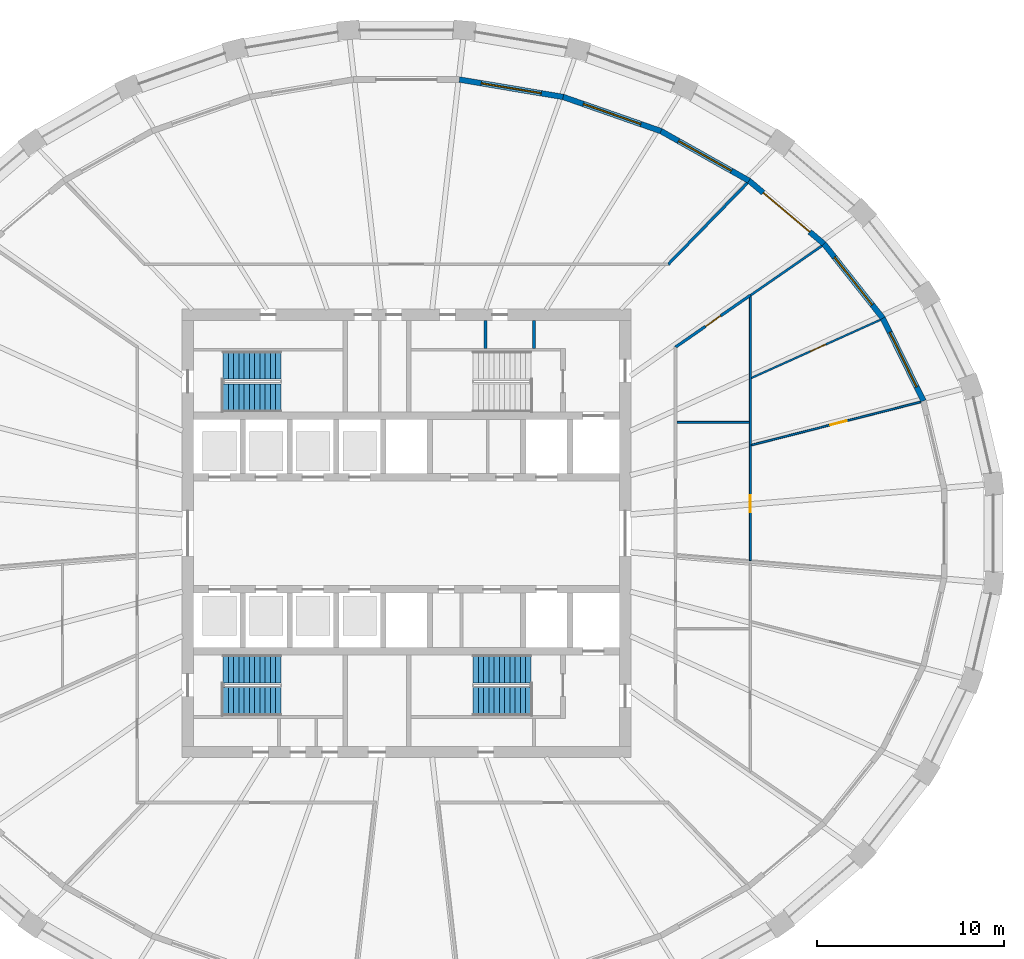
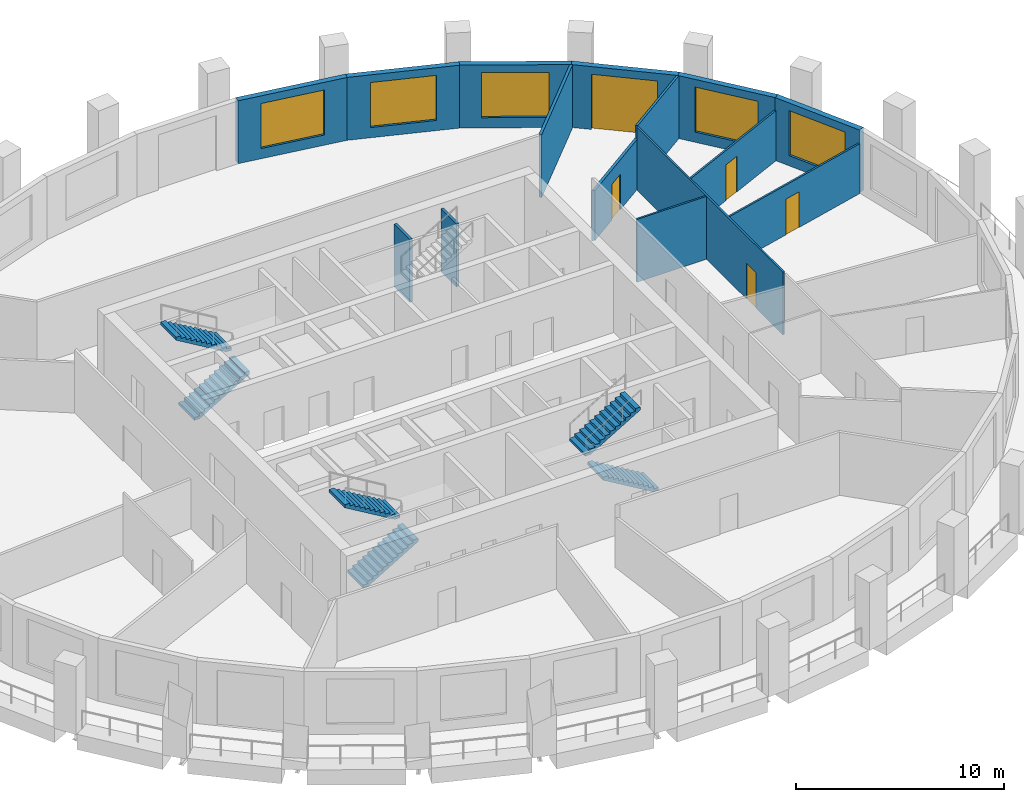
# One storey, part 7 of 11: 15 walls, 6 stair flights, 5 doors, 5 windows, 10 openings, 3 elements without a shape of their own.
"""IFC4 building model written with IfcOpenShell, lengths in metres."""

from ifc_helpers import new_model, si_unit, direction, frame, frame_2d, origin, place, context, subcontext, project, spatial, polyline, rectangle, outline, extrude, material, layer, layer_set, type_object, element, fill, aggregate, save


model = new_model("IFC4")

# Units and contexts
model_context = context("Model", 3, precision=1e-05, world=origin(), true_north=direction((0.0, 1.0)))
body_context = subcontext(model_context, "Body", "Model", "MODEL_VIEW")
ifc_project = project(units=[si_unit("LENGTHUNIT", "METRE"), si_unit("AREAUNIT", "SQUARE_METRE"), si_unit("VOLUMEUNIT", "CUBIC_METRE"), si_unit("PLANEANGLEUNIT", "RADIAN"), si_unit("MASSUNIT", "GRAM", prefix="KILO")], contexts=[model_context])

# Site, building, storey
site_placement = place(None, origin())
site = spatial("IfcSite", under=ifc_project, at=site_placement, CompositionType="ELEMENT")
building_placement = place(site_placement, origin())
building = spatial("IfcBuilding", under=site, at=building_placement, Name="Halqa Exchange Tower", CompositionType="ELEMENT")
storey_placement = place(building_placement, frame((0.0, 0.0, 230.89990234375)))
storey = spatial("IfcBuildingStorey", under=building, at=storey_placement, Name="L53", CompositionType="ELEMENT", Elevation=230.89990234375)

# Wall
ifc_material_1 = material(Name="Fire-rated gypsum board")
ifc_layer_1 = layer(ifc_material_1, 0.14990234375)
ifc_layer_set_1 = layer_set([ifc_layer_1], Name="Fire-rated gypsum board")
wall_type_1 = type_object("IfcWallType", Name="Fire partition EI 60 150", PredefinedType="PARTITIONING", material=ifc_layer_set_1)
wall_1_placement = place(storey_placement, frame((13.98779296875, 14.377197265625, 0.0), z_axis=(0.0, 0.0, 1.0), x_axis=(0.697616683155, 0.716471188105, 0.0)))
element("IfcWall", 1, at=wall_1_placement, inside=storey, type_object=wall_type_1, Name="L53-PWL-015", PredefinedType="PARTITIONING", context=body_context, shape_type="SweptSolid", body=[
    extrude(outline(polyline([(6.098876953125, -0.074951171875), (6.098876953125, -0.07275390625), (6.09375, -0.002197265625), (6.073486328125, 0.074951171875), (4.57080078125, 0.074951171875), (3.068359375, 0.074951171875), (1.56591796875, 0.074951171875), (0.0634765625, 0.074951171875), (0.03173828125, 0.0), (0.000244140625, -0.074951171875), (1.52490234375, -0.074951171875), (3.049560546875, -0.074951171875), (4.57421875, -0.074951171875), (6.098876953125, -0.074951171875)])), origin(), (0.0, 0.0, 1.0), 3.7001953125),
])

# Wall, opening, door
wall_2_placement = place(storey_placement, frame((14.36767578125, 9.947509765625, 0.0), z_axis=(0.0, 0.0, 1.0), x_axis=(0.822102584422, 0.56933938972, 0.0)))
wall_2 = element("IfcWall", 2, at=wall_2_placement, inside=storey, type_object=wall_type_1, Name="L53-PWL-021", PredefinedType="PARTITIONING", context=body_context, shape_type="SweptSolid", body=[
    extrude(outline(polyline([(4.90478515625, 0.074951171875), (3.27001953125, 0.074951171875), (1.635009765625, 0.074951171875), (0.000244140625, 0.074951171875), (0.07861328125, -0.074951171875), (1.6875, -0.074951171875), (3.296142578125, -0.074951171875), (4.90478515625, -0.074951171875), (4.90478515625, 0.074951171875)])), origin(), (0.0, 0.0, 1.0), 2.947021484375),
])
opening_1_placement = place(wall_2_placement, frame((1.971923828125, 0.0, 0.0)))
opening_1 = element("IfcOpeningElement", 3, at=opening_1_placement, cuts=wall_2, Name="Opening 16-09", PredefinedType="OPENING", context=body_context, shape_type="SweptSolid", body=[
    extrude(rectangle(XDim=1.0, YDim=2.10009765625, at=frame_2d((0.5, 1.050048828125))), frame((0.0, 0.0869140625, 0.0), z_axis=(0.0, -1.0, 0.0), x_axis=(1.0, 0.0, 0.0)), (0.0, 0.0, 1.0), 0.173828125),
])
ifc_material_2 = material(Name="Steel fire door leaf", Category="steel")
door_type_1 = type_object("IfcDoorType", Name="Fire door FD30S 1000 x 2100", OperationType="SINGLE_SWING_LEFT", PredefinedType="DOOR", material=ifc_material_2)
door_1_placement = place(opening_1_placement, frame((1.0, 0.0, 0.0), z_axis=(0.0, 0.0, 1.0), x_axis=(-1.0, 0.0, 0.0)))
door_1 = element("IfcDoor", 4, at=door_1_placement, inside=storey, type_object=door_type_1, Name="L53-IDR-009", OperationType="SINGLE_SWING_LEFT", OverallHeight=2.10009765625, OverallWidth=1.0, PredefinedType="DOOR", context=body_context, shape_type="SweptSolid", body=[
    extrude(rectangle(XDim=1.0, YDim=2.10009765625, at=frame_2d((0.5, 1.050048828125))), frame((0.0, 0.02490234375, 0.0), z_axis=(0.0, -1.0, 0.0), x_axis=(1.0, 0.0, 0.0)), (0.0, 0.0, 1.0), 0.050048828125),
])
fill(opening_1, door_1)

# Wall
ifc_material_3 = material(Name="Fire-rated glazing", Category="glass")
ifc_layer_2 = layer(ifc_material_3, 0.1201171875)
ifc_layer_set_2 = layer_set([ifc_layer_2], Name="Fire-rated glazing")
wall_type_2 = type_object("IfcWallType", Name="Glazed fire partition EI 60 120", PredefinedType="PARTITIONING", material=ifc_layer_set_2)
wall_3_placement = place(storey_placement, frame((18.40478515625, 12.7333984375, 0.0), z_axis=(0.0, 0.0, 1.0), x_axis=(0.821978662859, 0.569518285751, 0.0)))
element("IfcWall", 5, at=wall_3_placement, inside=storey, type_object=wall_type_2, Name="L53-PWL-031", PredefinedType="PARTITIONING", context=body_context, shape_type="SweptSolid", body=[
    extrude(outline(polyline([(4.65234375, -0.06005859375), (4.65234375, -0.0546875), (4.64892578125, 0.0), (4.632568359375, 0.06005859375), (3.08837890625, 0.06005859375), (1.544189453125, 0.06005859375), (0.0, 0.06005859375), (0.0, -0.051025390625), (0.01318359375, -0.06005859375), (1.5595703125, -0.06005859375), (3.10595703125, -0.06005859375), (4.65234375, -0.06005859375)])), origin(), (0.0, 0.0, 1.0), 3.7001953125),
])

# Wall, opening, door
ifc_material_4 = material(Name="Gypsum board")
ifc_layer_3 = layer(ifc_material_4, 0.10009765625)
ifc_layer_set_3 = layer_set([ifc_layer_3], Name="Gypsum board")
wall_type_3 = type_object("IfcWallType", Name="Partition 100 gypsum", PredefinedType="PARTITIONING", material=ifc_layer_set_3)
wall_4_placement = place(storey_placement, frame((18.39990234375, -1.45947265625, 0.0), z_axis=(0.0, 0.0, 1.0), x_axis=(0.0, 1.0, 0.0)))
wall_4 = element("IfcWall", 6, at=wall_4_placement, inside=storey, type_object=wall_type_3, Name="L53-PWL-027", PredefinedType="PARTITIONING", context=body_context, shape_type="SweptSolid", body=[
    extrude(outline(polyline([(0.0, -0.050048828125), (1.556640625, -0.050048828125), (3.11328125, -0.050048828125), (4.669921875, -0.050048828125), (6.2265625, -0.050048828125), (6.2333984375, -0.04833984375), (6.23388671875, -0.050048828125), (8.02734375, -0.050048828125), (9.821044921875, -0.050048828125), (9.825927734375, -0.0478515625), (9.826904296875, -0.050048828125), (11.26806640625, -0.050048828125), (12.70947265625, -0.050048828125), (14.15087890625, -0.050048828125), (14.15087890625, -0.049560546875), (14.14453125, -0.040283203125), (14.15087890625, -0.035888671875), (14.15087890625, -0.03369140625), (14.1376953125, -0.042724609375), (14.073486328125, 0.050048828125), (12.41748046875, 0.050048828125), (10.761474609375, 0.050048828125), (9.10546875, 0.050048828125), (7.449462890625, 0.050048828125), (7.449462890625, 0.0498046875), (7.349365234375, 0.0498046875), (7.349365234375, 0.050048828125), (5.51416015625, 0.050048828125), (3.6787109375, 0.050048828125), (1.843505859375, 0.050048828125), (0.008056640625, 0.050048828125), (0.0, -0.047607421875), (0.0, -0.050048828125)])), origin(), (0.0, 0.0, 1.0), 3.7001953125),
])
opening_2_placement = place(wall_4_placement, frame((2.599609375, 0.0, 0.0)))
opening_2 = element("IfcOpeningElement", 7, at=opening_2_placement, cuts=wall_4, Name="Opening 16-14", PredefinedType="OPENING", context=body_context, shape_type="SweptSolid", body=[
    extrude(rectangle(XDim=0.89990234375, YDim=2.10009765625, at=frame_2d((0.449951171875, 1.050048828125))), frame((0.0, 0.06201171875, 0.0), z_axis=(0.0, -1.0, 0.0), x_axis=(1.0, 0.0, 0.0)), (0.0, 0.0, 1.0), 0.1240234375),
])
ifc_material_5 = material(Name="Timber door leaf", Category="wood")
door_type_2 = type_object("IfcDoorType", Name="Door 900 x 2100", OperationType="SINGLE_SWING_LEFT", PredefinedType="DOOR", material=ifc_material_5)
door_2_placement = place(opening_2_placement, origin())
door_2 = element("IfcDoor", 8, at=door_2_placement, inside=storey, type_object=door_type_2, Name="L53-IDR-014", OperationType="SINGLE_SWING_RIGHT", OverallHeight=2.10009765625, OverallWidth=0.89990234375, PredefinedType="DOOR", context=body_context, shape_type="SweptSolid", body=[
    extrude(rectangle(XDim=0.89990234375, YDim=2.10009765625, at=frame_2d((0.449951171875, 1.050048828125))), frame((0.0, 0.02490234375, 0.0), z_axis=(0.0, -1.0, 0.0), x_axis=(1.0, 0.0, 0.0)), (0.0, 0.0, 1.0), 0.050048828125),
])
fill(opening_2, door_2)

wall_5_placement = place(storey_placement, frame((18.437744140625, 4.719482421875, 0.0), z_axis=(0.0, 0.0, 1.0), x_axis=(0.968975503795, 0.247156778269, 0.0)))
wall_5 = element("IfcWall", 9, at=wall_5_placement, inside=storey, type_object=wall_type_3, Name="L53-PWL-028", PredefinedType="PARTITIONING", context=body_context, shape_type="SweptSolid", body=[
    extrude(outline(polyline([(9.3671875, -0.050048828125), (9.3671875, 0.008056640625), (9.3583984375, 0.050048828125), (7.49169921875, 0.050048828125), (5.625244140625, 0.050048828125), (3.758544921875, 0.050048828125), (1.89208984375, 0.050048828125), (0.025390625, 0.050048828125), (0.0, -0.049560546875), (0.0, -0.050048828125), (1.87353515625, -0.050048828125), (3.746826171875, -0.050048828125), (5.620361328125, -0.050048828125), (7.49365234375, -0.050048828125), (9.3671875, -0.050048828125)])), origin(), (0.0, 0.0, 1.0), 2.93017578125),
])
opening_3_placement = place(wall_5_placement, frame((4.36669921875, 0.0, 0.0)))
opening_3 = element("IfcOpeningElement", 10, at=opening_3_placement, cuts=wall_5, Name="Opening 16-15", PredefinedType="OPENING", context=body_context, shape_type="SweptSolid", body=[
    extrude(rectangle(XDim=0.89990234375, YDim=2.10009765625, at=frame_2d((0.449951171875, 1.050048828125))), frame((0.0, 0.06201171875, 0.0), z_axis=(0.0, -1.0, 0.0), x_axis=(1.0, 0.0, 0.0)), (0.0, 0.0, 1.0), 0.1240234375),
])
door_3_placement = place(opening_3_placement, origin())
door_3 = element("IfcDoor", 11, at=door_3_placement, inside=storey, type_object=door_type_2, Name="L53-IDR-015", OperationType="SINGLE_SWING_RIGHT", OverallHeight=2.10009765625, OverallWidth=0.89990234375, PredefinedType="DOOR", context=body_context, shape_type="SweptSolid", body=[
    extrude(rectangle(XDim=0.89990234375, YDim=2.10009765625, at=frame_2d((0.449951171875, 1.050048828125))), frame((0.0, 0.02490234375, 0.0), z_axis=(0.0, -1.0, 0.0), x_axis=(1.0, 0.0, 0.0)), (0.0, 0.0, 1.0), 0.050048828125),
])
fill(opening_3, door_3)

# Wall
wall_6_placement = place(storey_placement, frame((18.35009765625, 5.93994140625, 0.0), z_axis=(0.0, 0.0, 1.0), x_axis=(-1.0, 0.0, 0.0)))
element("IfcWall", 12, at=wall_6_placement, inside=storey, type_object=wall_type_3, Name="L53-PWL-029", PredefinedType="PARTITIONING", context=body_context, shape_type="SweptSolid", body=[
    extrude(rectangle(XDim=3.875, YDim=0.10009765625, at=frame_2d((1.9375, 0.0))), origin(), (0.0, 0.0, 1.0), 3.7001953125),
])

# Wall, opening, door
wall_7_placement = place(storey_placement, frame((18.4296875, 8.303466796875, 0.0), z_axis=(0.0, 0.0, 1.0), x_axis=(0.911623805038, 0.411025592985, 0.0)))
wall_7 = element("IfcWall", 13, at=wall_7_placement, inside=storey, type_object=wall_type_3, Name="L53-PWL-030", PredefinedType="PARTITIONING", context=body_context, shape_type="SweptSolid", body=[
    extrude(outline(polyline([(7.601806640625, -0.050048828125), (7.601806640625, -0.045166015625), (7.600341796875, 0.001953125), (7.588134765625, 0.050048828125), (5.702392578125, 0.050048828125), (3.81640625, 0.050048828125), (1.9306640625, 0.050048828125), (0.044921875, 0.050048828125), (0.0, -0.04931640625), (0.0, -0.050048828125), (1.900390625, -0.050048828125), (3.80078125, -0.050048828125), (5.701416015625, -0.050048828125), (7.601806640625, -0.050048828125)])), origin(), (0.0, 0.0, 1.0), 2.947021484375),
])
opening_4_placement = place(wall_7_placement, frame((3.48291015625, 0.0, 0.0)))
opening_4 = element("IfcOpeningElement", 14, at=opening_4_placement, cuts=wall_7, Name="Opening 16-16", PredefinedType="OPENING", context=body_context, shape_type="SweptSolid", body=[
    extrude(rectangle(XDim=0.89990234375, YDim=2.10009765625, at=frame_2d((0.449951171875, 1.050048828125))), frame((0.0, 0.06201171875, 0.0), z_axis=(0.0, -1.0, 0.0), x_axis=(1.0, 0.0, 0.0)), (0.0, 0.0, 1.0), 0.1240234375),
])
door_4_placement = place(opening_4_placement, origin())
door_4 = element("IfcDoor", 15, at=door_4_placement, inside=storey, type_object=door_type_2, Name="L53-IDR-016", OperationType="SINGLE_SWING_RIGHT", OverallHeight=2.10009765625, OverallWidth=0.89990234375, PredefinedType="DOOR", context=body_context, shape_type="SweptSolid", body=[
    extrude(rectangle(XDim=0.89990234375, YDim=2.10009765625, at=frame_2d((0.449951171875, 1.050048828125))), frame((0.0, 0.02490234375, 0.0), z_axis=(0.0, -1.0, 0.0), x_axis=(1.0, 0.0, 0.0)), (0.0, 0.0, 1.0), 0.050048828125),
])
fill(opening_4, door_4)

# Walls
ifc_layer_4 = layer(ifc_material_4, 0.14990234375)
ifc_layer_set_4 = layer_set([ifc_layer_4], Name="Gypsum board")
wall_type_4 = type_object("IfcWallType", Name="Penthouse riser wall 150 gypsum", PredefinedType="PARTITIONING", material=ifc_layer_set_4)
for number, where, z_axis, x_axis, name in (
    (16, (4.22509765625, 9.89990234375, 0.0), (0.0, 0.0, 1.0), (0.0, 1.0, 0.0), "Partition E4.225 N"),
    (17, (6.824951171875, 9.89990234375, 0.0), (0.0, 0.0, 1.0), (0.0, 1.0, 0.0), "Firefighting lobby west wall N"),
):
    element("IfcWall", number, at=place(storey_placement, frame(where, z_axis=z_axis, x_axis=x_axis)), inside=storey, type_object=wall_type_4, Name=name, PredefinedType="PARTITIONING", context=body_context, shape_type="SweptSolid", body=[
        extrude(rectangle(XDim=1.5, YDim=0.14990234375, at=frame_2d((0.75, 0.0))), origin(), (0.0, 0.0, 1.0), 3.7001953125),
    ])

# Wall, opening, window
ifc_material_6 = material(Name="Limestone cladding", Category="masonry")
ifc_layer_5 = layer(ifc_material_6, 0.0400390625)
ifc_material_7 = material(Name="Ventilated cavity")
ifc_layer_6 = layer(ifc_material_7, 0.030029296875, ventilated=True)
ifc_material_8 = material(Name="Mineral wool insulation")
ifc_layer_7 = layer(ifc_material_8, 0.10009765625)
ifc_material_9 = material(Name="Concrete C30/37", Category="concrete")
ifc_layer_8 = layer(ifc_material_9, 0.10009765625)
ifc_material_10 = material(Name="Internal plaster")
ifc_layer_9 = layer(ifc_material_10, 0.030029296875)
ifc_layer_set_5 = layer_set([ifc_layer_5, ifc_layer_6, ifc_layer_7, ifc_layer_8, ifc_layer_9], Name="Stone-faced insulated wall 300")
wall_type_5 = type_object("IfcWallType", Name="Stone-faced insulated wall 300", PredefinedType="STANDARD", material=ifc_layer_set_5)
wall_8_placement = place(storey_placement, frame((27.656494140625, 7.0888671875, 0.0), z_axis=(0.0, 0.0, 1.0), x_axis=(-0.440857641837, 0.897577038272, 0.0)))
wall_8 = element("IfcWall", 18, at=wall_8_placement, inside=storey, type_object=wall_type_5, Name="Glass-line wall 2", PredefinedType="STANDARD", context=body_context, shape_type="SweptSolid", body=[
    extrude(outline(polyline([(-0.016845703125, -0.14990234375), (4.94140625, -0.14990234375), (4.9091796875, 0.14990234375), (0.016845703125, 0.14990234375), (-0.016845703125, -0.14990234375)])), origin(), (0.0, 0.0, 1.0), 3.7001953125),
])
opening_5_placement = place(wall_8_placement, frame((0.837646484375, 0.0, 0.60009765625)))
opening_5 = element("IfcOpeningElement", 19, at=opening_5_placement, cuts=wall_8, Name="Opening W-F3-02", PredefinedType="OPENING", context=body_context, shape_type="SweptSolid", body=[
    extrude(rectangle(XDim=3.25, YDim=2.64990234375, at=frame_2d((1.625, 1.324951171875))), frame((0.0, 0.162109375, 0.0), z_axis=(0.0, -1.0, 0.0), x_axis=(1.0, 0.0, 0.0)), (0.0, 0.0, 1.0), 0.323974609375),
])
ifc_material_11 = material(Name="Clear low-emissivity glass in aluminium frame", Category="aluminium")
window_type = type_object("IfcWindowType", Name="Fixed clear glazed window 3250 x 2650", PartitioningType="TRIPLE_PANEL_VERTICAL", PredefinedType="WINDOW", material=ifc_material_11)
window_1_placement = place(opening_5_placement, origin())
window_1 = element("IfcWindow", 20, at=window_1_placement, inside=storey, type_object=window_type, Name="Window 3", OverallHeight=2.64990234375, OverallWidth=3.25, PartitioningType="TRIPLE_PANEL_VERTICAL", PredefinedType="WINDOW", context=body_context, shape_type="SweptSolid", body=[
    extrude(rectangle(XDim=3.25, YDim=2.64990234375, at=frame_2d((1.625, 1.324951171875))), frame((0.0, 0.030029296875, 0.0), z_axis=(0.0, -1.0, 0.0), x_axis=(1.0, 0.0, 0.0)), (0.0, 0.0, 1.0), 0.06005859375),
])
fill(opening_5, window_1)

wall_9_placement = place(storey_placement, frame((25.485107421875, 11.509765625, 0.0), z_axis=(0.0, 0.0, 1.0), x_axis=(-0.621084984443, 0.783743224596, 0.0)))
wall_9 = element("IfcWall", 21, at=wall_9_placement, inside=storey, type_object=wall_type_5, Name="Glass-line wall 3", PredefinedType="STANDARD", context=body_context, shape_type="SweptSolid", body=[
    extrude(outline(polyline([(-0.01611328125, -0.14990234375), (5.08837890625, -0.14990234375), (5.05810546875, 0.14990234375), (0.01611328125, 0.14990234375), (-0.01611328125, -0.14990234375)])), origin(), (0.0, 0.0, 1.0), 3.7001953125),
])
opening_6_placement = place(wall_9_placement, frame((0.91162109375, 0.0, 0.60009765625)))
opening_6 = element("IfcOpeningElement", 22, at=opening_6_placement, cuts=wall_9, Name="Opening W-F3-03", PredefinedType="OPENING", context=body_context, shape_type="SweptSolid", body=[
    extrude(rectangle(XDim=3.25, YDim=2.64990234375, at=frame_2d((1.625, 1.324951171875))), frame((0.0, 0.162109375, 0.0), z_axis=(0.0, -1.0, 0.0), x_axis=(1.0, 0.0, 0.0)), (0.0, 0.0, 1.0), 0.323974609375),
])
window_2_placement = place(opening_6_placement, origin())
window_2 = element("IfcWindow", 23, at=window_2_placement, inside=storey, type_object=window_type, Name="Window 3", OverallHeight=2.64990234375, OverallWidth=3.25, PartitioningType="TRIPLE_PANEL_VERTICAL", PredefinedType="WINDOW", context=body_context, shape_type="SweptSolid", body=[
    extrude(rectangle(XDim=3.25, YDim=2.64990234375, at=frame_2d((1.625, 1.324951171875))), frame((0.0, 0.030029296875, 0.0), z_axis=(0.0, -1.0, 0.0), x_axis=(1.0, 0.0, 0.0)), (0.0, 0.0, 1.0), 0.06005859375),
])
fill(opening_6, window_2)

# Wall, opening, door
wall_10_placement = place(storey_placement, frame((22.334228515625, 15.48583984375, 0.0), z_axis=(0.0, 0.0, 1.0), x_axis=(-0.764475071601, 0.644653290459, 0.0)))
wall_10 = element("IfcWall", 24, at=wall_10_placement, inside=storey, type_object=wall_type_5, Name="Glass-line wall 4", PredefinedType="STANDARD", context=body_context, shape_type="SweptSolid", body=[
    extrude(outline(polyline([(-0.01513671875, -0.14990234375), (5.2568359375, -0.14990234375), (5.228515625, 0.14990234375), (0.01513671875, 0.14990234375), (-0.01513671875, -0.14990234375)])), origin(), (0.0, 0.0, 1.0), 3.7001953125),
])
opening_7_placement = place(wall_10_placement, frame((0.996337890625, 0.0, 0.0)))
opening_7 = element("IfcOpeningElement", 25, at=opening_7_placement, cuts=wall_10, Name="Opening LG-F3-01", PredefinedType="OPENING", context=body_context, shape_type="SweptSolid", body=[
    extrude(rectangle(XDim=3.25, YDim=3.25, at=frame_2d((1.625, 1.625))), frame((0.0, 0.162109375, 0.0), z_axis=(0.0, -1.0, 0.0), x_axis=(1.0, 0.0, 0.0)), (0.0, 0.0, 1.0), 0.323974609375),
])
door_type_3 = type_object("IfcDoorType", Name="Glazed sliding loggia door 3250 x 3250", OperationType="DOUBLE_DOOR_SLIDING", PredefinedType="DOOR", material=ifc_material_11)
door_5_placement = place(opening_7_placement, origin())
door_5 = element("IfcDoor", 26, at=door_5_placement, inside=storey, type_object=door_type_3, Name="Loggia door 1", OperationType="DOUBLE_DOOR_SLIDING", OverallHeight=3.25, OverallWidth=3.25, PredefinedType="DOOR", context=body_context, shape_type="SweptSolid", body=[
    extrude(rectangle(XDim=3.25, YDim=3.25, at=frame_2d((1.625, 1.625))), frame((0.0, 0.02490234375, 0.0), z_axis=(0.0, -1.0, 0.0), x_axis=(1.0, 0.0, 0.0)), (0.0, 0.0, 1.0), 0.050048828125),
])
fill(opening_7, door_5)

# Wall, opening, window
wall_11_placement = place(storey_placement, frame((18.326416015625, 18.865478515625, 0.0), z_axis=(0.0, 0.0, 1.0), x_axis=(-0.871225596594, 0.490882837181, 0.0)))
wall_11 = element("IfcWall", 27, at=wall_11_placement, inside=storey, type_object=wall_type_5, Name="Glass-line wall 5", PredefinedType="STANDARD", context=body_context, shape_type="SweptSolid", body=[
    extrude(outline(polyline([(-0.01416015625, -0.14990234375), (5.420166015625, -0.14990234375), (5.393310546875, 0.14990234375), (0.01416015625, 0.14990234375), (-0.01416015625, -0.14990234375)])), origin(), (0.0, 0.0, 1.0), 3.7001953125),
])
opening_8_placement = place(wall_11_placement, frame((1.078369140625, 0.0, 0.60009765625)))
opening_8 = element("IfcOpeningElement", 28, at=opening_8_placement, cuts=wall_11, Name="Opening W-F3-05", PredefinedType="OPENING", context=body_context, shape_type="SweptSolid", body=[
    extrude(rectangle(XDim=3.25, YDim=2.64990234375, at=frame_2d((1.625, 1.324951171875))), frame((0.0, 0.162109375, 0.0), z_axis=(0.0, -1.0, 0.0), x_axis=(1.0, 0.0, 0.0)), (0.0, 0.0, 1.0), 0.323974609375),
])
window_3_placement = place(opening_8_placement, origin())
window_3 = element("IfcWindow", 29, at=window_3_placement, inside=storey, type_object=window_type, Name="Window 3", OverallHeight=2.64990234375, OverallWidth=3.25, PartitioningType="TRIPLE_PANEL_VERTICAL", PredefinedType="WINDOW", context=body_context, shape_type="SweptSolid", body=[
    extrude(rectangle(XDim=3.25, YDim=2.64990234375, at=frame_2d((1.625, 1.324951171875))), frame((0.0, 0.030029296875, 0.0), z_axis=(0.0, -1.0, 0.0), x_axis=(1.0, 0.0, 0.0)), (0.0, 0.0, 1.0), 0.06005859375),
])
fill(opening_8, window_3)

wall_12_placement = place(storey_placement, frame((13.615966796875, 21.51953125, 0.0), z_axis=(0.0, 0.0, 1.0), x_axis=(-0.944075859918, 0.329728328659, 0.0)))
wall_12 = element("IfcWall", 30, at=wall_12_placement, inside=storey, type_object=wall_type_5, Name="Glass-line wall 6", PredefinedType="STANDARD", context=body_context, shape_type="SweptSolid", body=[
    extrude(outline(polyline([(-0.013427734375, -0.14990234375), (5.554931640625, -0.14990234375), (5.529541015625, 0.14990234375), (0.013427734375, 0.14990234375), (-0.013427734375, -0.14990234375)])), origin(), (0.0, 0.0, 1.0), 3.7001953125),
])
opening_9_placement = place(wall_12_placement, frame((1.14599609375, 0.0, 0.60009765625)))
opening_9 = element("IfcOpeningElement", 31, at=opening_9_placement, cuts=wall_12, Name="Opening W-F3-06", PredefinedType="OPENING", context=body_context, shape_type="SweptSolid", body=[
    extrude(rectangle(XDim=3.25, YDim=2.64990234375, at=frame_2d((1.625, 1.324951171875))), frame((0.0, 0.162109375, 0.0), z_axis=(0.0, -1.0, 0.0), x_axis=(1.0, 0.0, 0.0)), (0.0, 0.0, 1.0), 0.323974609375),
])
window_4_placement = place(opening_9_placement, origin())
window_4 = element("IfcWindow", 32, at=window_4_placement, inside=storey, type_object=window_type, Name="Window 3", OverallHeight=2.64990234375, OverallWidth=3.25, PartitioningType="TRIPLE_PANEL_VERTICAL", PredefinedType="WINDOW", context=body_context, shape_type="SweptSolid", body=[
    extrude(rectangle(XDim=3.25, YDim=2.64990234375, at=frame_2d((1.625, 1.324951171875))), frame((0.0, 0.030029296875, 0.0), z_axis=(0.0, -1.0, 0.0), x_axis=(1.0, 0.0, 0.0)), (0.0, 0.0, 1.0), 0.06005859375),
])
fill(opening_9, window_4)

wall_13_placement = place(storey_placement, frame((8.3837890625, 23.346923828125, 0.0), z_axis=(0.0, 0.0, 1.0), x_axis=(-0.986223472554, 0.165418445715, 0.0)))
wall_13 = element("IfcWall", 33, at=wall_13_placement, inside=storey, type_object=wall_type_5, Name="Glass-line wall 7", PredefinedType="STANDARD", context=body_context, shape_type="SweptSolid", body=[
    extrude(outline(polyline([(-0.0126953125, -0.14990234375), (5.64306640625, -0.14990234375), (5.6181640625, 0.14990234375), (0.0126953125, 0.14990234375), (-0.0126953125, -0.14990234375)])), origin(), (0.0, 0.0, 1.0), 3.7001953125),
])
opening_10_placement = place(wall_13_placement, frame((1.190185546875, 0.0, 0.60009765625)))
opening_10 = element("IfcOpeningElement", 34, at=opening_10_placement, cuts=wall_13, Name="Opening W-F3-07", PredefinedType="OPENING", context=body_context, shape_type="SweptSolid", body=[
    extrude(rectangle(XDim=3.25, YDim=2.64990234375, at=frame_2d((1.625, 1.324951171875))), frame((0.0, 0.162109375, 0.0), z_axis=(0.0, -1.0, 0.0), x_axis=(1.0, 0.0, 0.0)), (0.0, 0.0, 1.0), 0.323974609375),
])
window_5_placement = place(opening_10_placement, origin())
window_5 = element("IfcWindow", 35, at=window_5_placement, inside=storey, type_object=window_type, Name="Window 3", OverallHeight=2.64990234375, OverallWidth=3.25, PartitioningType="TRIPLE_PANEL_VERTICAL", PredefinedType="WINDOW", context=body_context, shape_type="SweptSolid", body=[
    extrude(rectangle(XDim=3.25, YDim=2.64990234375, at=frame_2d((1.625, 1.324951171875))), frame((0.0, 0.030029296875, 0.0), z_axis=(0.0, -1.0, 0.0), x_axis=(1.0, 0.0, 0.0)), (0.0, 0.0, 1.0), 0.06005859375),
])
fill(opening_10, window_5)

# Stair, stair flights
stair_type = type_object("IfcStairType", Name="Exit stair 1500 wide", PredefinedType="HALF_TURN_STAIR", material=ifc_material_9)
stair_1_placement = place(storey_placement, origin())
stair_1 = element("IfcStair", 36, at=stair_1_placement, inside=storey, type_object=stair_type, Name="Exit stair ST1", PredefinedType="HALF_TURN_STAIR")
stair_flight_type = type_object("IfcStairFlightType", Name="Stair flight 1500 wide", PredefinedType="STRAIGHT", material=ifc_material_9)
stair_flight_1_placement = place(storey_placement, frame((-9.800048828125, 7.25, 0.0), z_axis=(0.0, 0.0, 1.0), x_axis=(1.0, 0.0, 0.0)))
stair_flight_1 = element("IfcStairFlight", 37, at=stair_flight_1_placement, type_object=stair_flight_type, Name="ST1 flight 1", NumberOfRisers=12, NumberOfTreads=11, PredefinedType="STRAIGHT", RiserHeight=0.166666667, TreadLength=0.28, context=body_context, shape_type="SweptSolid", body=[
    extrude(outline(polyline([(0.0, 0.0), (0.0, 0.166748046875), (0.280029296875, 0.166748046875), (0.280029296875, 0.333251953125), (0.56005859375, 0.333251953125), (0.56005859375, 0.5), (0.840087890625, 0.5), (0.840087890625, 0.666748046875), (1.1201171875, 0.666748046875), (1.1201171875, 0.833251953125), (1.39990234375, 0.833251953125), (1.39990234375, 1.0), (1.679931640625, 1.0), (1.679931640625, 1.166748046875), (1.9599609375, 1.166748046875), (1.9599609375, 1.333251953125), (2.239990234375, 1.333251953125), (2.239990234375, 1.5), (2.52001953125, 1.5), (2.52001953125, 1.666748046875), (2.800048828125, 1.666748046875), (2.800048828125, 1.833251953125), (3.080078125, 1.833251953125), (3.080078125, 2.0), (3.080078125, 1.658935546875), (0.29296875, 0.0), (0.0, 0.0)])), frame((0.0, 0.75, 0.0), z_axis=(0.0, -1.0, 0.0), x_axis=(1.0, 0.0, 0.0)), (0.0, 0.0, 1.0), 1.5),
])
stair_flight_2_placement = place(storey_placement, frame((-6.719970703125, 9.0, 2.0), z_axis=(0.0, 0.0, 1.0), x_axis=(-1.0, 0.0, 0.0)))
stair_flight_2 = element("IfcStairFlight", 38, at=stair_flight_2_placement, type_object=stair_flight_type, Name="ST1 flight 2", NumberOfRisers=12, NumberOfTreads=11, PredefinedType="STRAIGHT", RiserHeight=0.166666667, TreadLength=0.28, context=body_context, shape_type="SweptSolid", body=[
    extrude(outline(polyline([(0.0, 0.0), (0.0, 0.166748046875), (0.280029296875, 0.166748046875), (0.280029296875, 0.333251953125), (0.56005859375, 0.333251953125), (0.56005859375, 0.5), (0.840087890625, 0.5), (0.840087890625, 0.666748046875), (1.1201171875, 0.666748046875), (1.1201171875, 0.833251953125), (1.39990234375, 0.833251953125), (1.39990234375, 1.0), (1.679931640625, 1.0), (1.679931640625, 1.166748046875), (1.9599609375, 1.166748046875), (1.9599609375, 1.333251953125), (2.239990234375, 1.333251953125), (2.239990234375, 1.5), (2.52001953125, 1.5), (2.52001953125, 1.666748046875), (2.800048828125, 1.666748046875), (2.800048828125, 1.833251953125), (3.080078125, 1.833251953125), (3.080078125, 2.0), (3.080078125, 1.658935546875), (0.29296875, 0.0), (0.0, 0.0)])), frame((0.0, 0.75, 0.0), z_axis=(0.0, -1.0, 0.0), x_axis=(1.0, 0.0, 0.0)), (0.0, 0.0, 1.0), 1.5),
])
aggregate(stair_1, [stair_flight_1, stair_flight_2])

stair_2_placement = place(storey_placement, origin())
stair_2 = element("IfcStair", 39, at=stair_2_placement, inside=storey, type_object=stair_type, Name="Exit stair ST3", PredefinedType="HALF_TURN_STAIR")
stair_flight_3_placement = place(storey_placement, frame((-9.800048828125, -9.0, 0.0), z_axis=(0.0, 0.0, 1.0), x_axis=(1.0, 0.0, 0.0)))
stair_flight_3 = element("IfcStairFlight", 40, at=stair_flight_3_placement, type_object=stair_flight_type, Name="ST3 flight 1", NumberOfRisers=12, NumberOfTreads=11, PredefinedType="STRAIGHT", RiserHeight=0.166666667, TreadLength=0.28, context=body_context, shape_type="SweptSolid", body=[
    extrude(outline(polyline([(0.0, 0.0), (0.0, 0.166748046875), (0.280029296875, 0.166748046875), (0.280029296875, 0.333251953125), (0.56005859375, 0.333251953125), (0.56005859375, 0.5), (0.840087890625, 0.5), (0.840087890625, 0.666748046875), (1.1201171875, 0.666748046875), (1.1201171875, 0.833251953125), (1.39990234375, 0.833251953125), (1.39990234375, 1.0), (1.679931640625, 1.0), (1.679931640625, 1.166748046875), (1.9599609375, 1.166748046875), (1.9599609375, 1.333251953125), (2.239990234375, 1.333251953125), (2.239990234375, 1.5), (2.52001953125, 1.5), (2.52001953125, 1.666748046875), (2.800048828125, 1.666748046875), (2.800048828125, 1.833251953125), (3.080078125, 1.833251953125), (3.080078125, 2.0), (3.080078125, 1.658935546875), (0.29296875, 0.0), (0.0, 0.0)])), frame((0.0, 0.75, 0.0), z_axis=(0.0, -1.0, 0.0), x_axis=(1.0, 0.0, 0.0)), (0.0, 0.0, 1.0), 1.5),
])
stair_flight_4_placement = place(storey_placement, frame((-6.719970703125, -7.25, 2.0), z_axis=(0.0, 0.0, 1.0), x_axis=(-1.0, 0.0, 0.0)))
stair_flight_4 = element("IfcStairFlight", 41, at=stair_flight_4_placement, type_object=stair_flight_type, Name="ST3 flight 2", NumberOfRisers=12, NumberOfTreads=11, PredefinedType="STRAIGHT", RiserHeight=0.166666667, TreadLength=0.28, context=body_context, shape_type="SweptSolid", body=[
    extrude(outline(polyline([(0.0, 0.0), (0.0, 0.166748046875), (0.280029296875, 0.166748046875), (0.280029296875, 0.333251953125), (0.56005859375, 0.333251953125), (0.56005859375, 0.5), (0.840087890625, 0.5), (0.840087890625, 0.666748046875), (1.1201171875, 0.666748046875), (1.1201171875, 0.833251953125), (1.39990234375, 0.833251953125), (1.39990234375, 1.0), (1.679931640625, 1.0), (1.679931640625, 1.166748046875), (1.9599609375, 1.166748046875), (1.9599609375, 1.333251953125), (2.239990234375, 1.333251953125), (2.239990234375, 1.5), (2.52001953125, 1.5), (2.52001953125, 1.666748046875), (2.800048828125, 1.666748046875), (2.800048828125, 1.833251953125), (3.080078125, 1.833251953125), (3.080078125, 2.0), (3.080078125, 1.658935546875), (0.29296875, 0.0), (0.0, 0.0)])), frame((0.0, 0.75, 0.0), z_axis=(0.0, -1.0, 0.0), x_axis=(1.0, 0.0, 0.0)), (0.0, 0.0, 1.0), 1.5),
])
aggregate(stair_2, [stair_flight_3, stair_flight_4])

stair_3_placement = place(storey_placement, origin())
stair_3 = element("IfcStair", 42, at=stair_3_placement, inside=storey, type_object=stair_type, Name="Exit stair ST4", PredefinedType="HALF_TURN_STAIR")
stair_flight_5_placement = place(storey_placement, frame((6.64990234375, -9.0, 0.0), z_axis=(0.0, 0.0, 1.0), x_axis=(-1.0, 0.0, 0.0)))
stair_flight_5 = element("IfcStairFlight", 43, at=stair_flight_5_placement, type_object=stair_flight_type, Name="ST4 flight 1", NumberOfRisers=12, NumberOfTreads=11, PredefinedType="STRAIGHT", RiserHeight=0.166666667, TreadLength=0.28, context=body_context, shape_type="SweptSolid", body=[
    extrude(outline(polyline([(0.0, 0.0), (0.0, 0.166748046875), (0.280029296875, 0.166748046875), (0.280029296875, 0.333251953125), (0.56005859375, 0.333251953125), (0.56005859375, 0.5), (0.840087890625, 0.5), (0.840087890625, 0.666748046875), (1.1201171875, 0.666748046875), (1.1201171875, 0.833251953125), (1.39990234375, 0.833251953125), (1.39990234375, 1.0), (1.679931640625, 1.0), (1.679931640625, 1.166748046875), (1.9599609375, 1.166748046875), (1.9599609375, 1.333251953125), (2.239990234375, 1.333251953125), (2.239990234375, 1.5), (2.52001953125, 1.5), (2.52001953125, 1.666748046875), (2.800048828125, 1.666748046875), (2.800048828125, 1.833251953125), (3.080078125, 1.833251953125), (3.080078125, 2.0), (3.080078125, 1.658935546875), (0.29296875, 0.0), (0.0, 0.0)])), frame((0.0, 0.75, 0.0), z_axis=(0.0, -1.0, 0.0), x_axis=(1.0, 0.0, 0.0)), (0.0, 0.0, 1.0), 1.5),
])
stair_flight_6_placement = place(storey_placement, frame((3.570068359375, -7.25, 2.0), z_axis=(0.0, 0.0, 1.0), x_axis=(1.0, 0.0, 0.0)))
stair_flight_6 = element("IfcStairFlight", 44, at=stair_flight_6_placement, type_object=stair_flight_type, Name="ST4 flight 2", NumberOfRisers=12, NumberOfTreads=11, PredefinedType="STRAIGHT", RiserHeight=0.166666667, TreadLength=0.28, context=body_context, shape_type="SweptSolid", body=[
    extrude(outline(polyline([(0.0, 0.0), (0.0, 0.166748046875), (0.280029296875, 0.166748046875), (0.280029296875, 0.333251953125), (0.56005859375, 0.333251953125), (0.56005859375, 0.5), (0.840087890625, 0.5), (0.840087890625, 0.666748046875), (1.1201171875, 0.666748046875), (1.1201171875, 0.833251953125), (1.39990234375, 0.833251953125), (1.39990234375, 1.0), (1.679931640625, 1.0), (1.679931640625, 1.166748046875), (1.9599609375, 1.166748046875), (1.9599609375, 1.333251953125), (2.239990234375, 1.333251953125), (2.239990234375, 1.5), (2.52001953125, 1.5), (2.52001953125, 1.666748046875), (2.800048828125, 1.666748046875), (2.800048828125, 1.833251953125), (3.080078125, 1.833251953125), (3.080078125, 2.0), (3.080078125, 1.658935546875), (0.29296875, 0.0), (0.0, 0.0)])), frame((0.0, 0.75, 0.0), z_axis=(0.0, -1.0, 0.0), x_axis=(1.0, 0.0, 0.0)), (0.0, 0.0, 1.0), 1.5),
])
aggregate(stair_3, [stair_flight_5, stair_flight_6])

save(model, "model.ifc")
